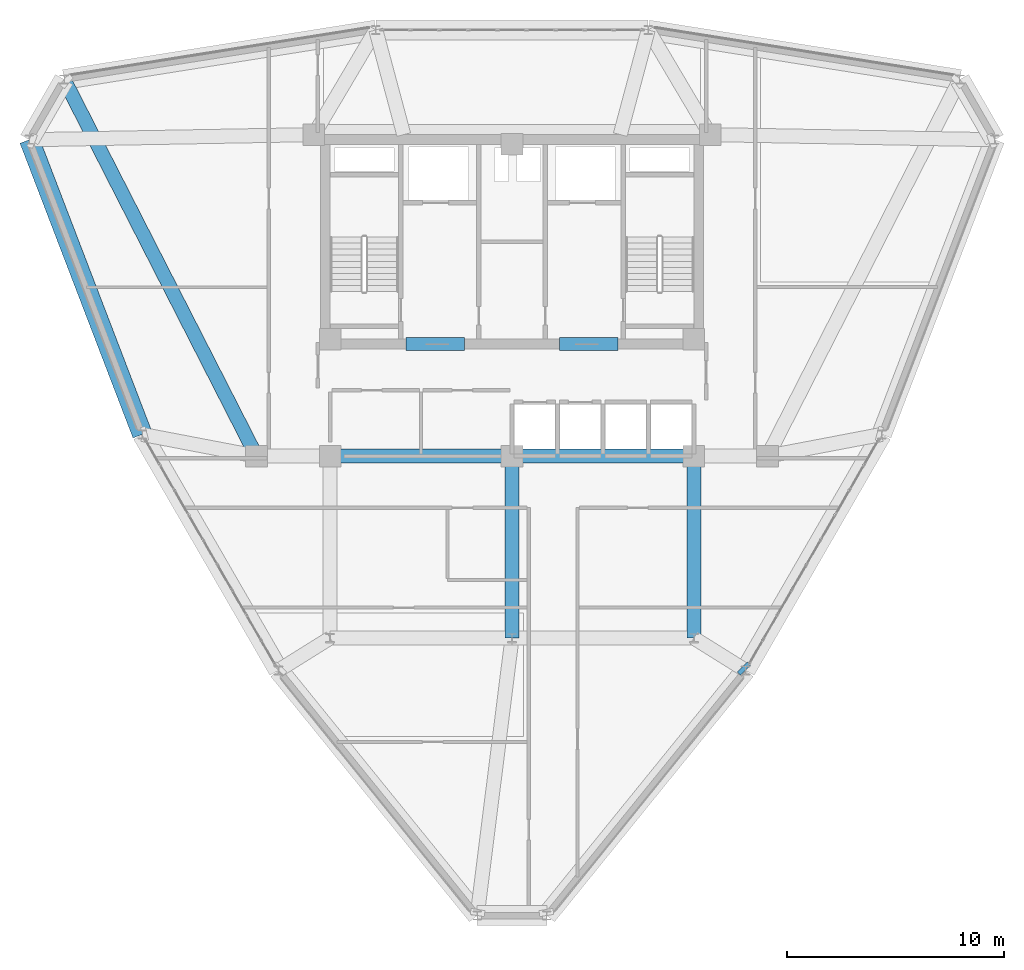
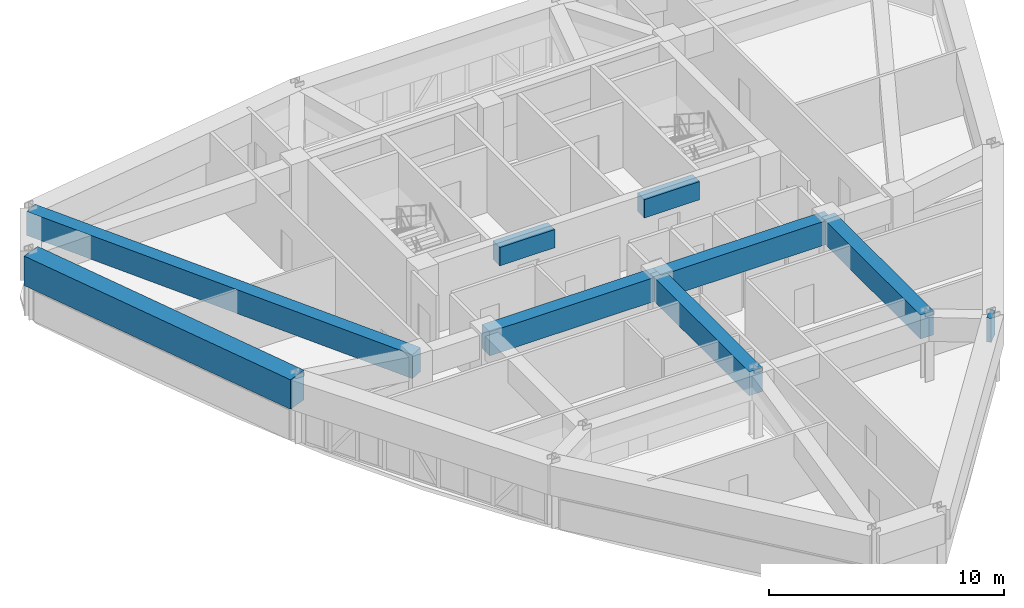
# One storey, part 5 of 14: 9 beams.
"""IFC4 building model written with IfcOpenShell, lengths in metres."""

from ifc_helpers import new_model, si_unit, derived_unit, direction, frame, origin, origin_2d, place, context, subcontext, project, spatial, rectangle, extrude, source, transform, mapped, material, material_profile, profile_set, type_object, element, save


model = new_model("IFC4")

# Units and contexts
model_context = context("Model", 3, precision=1e-05, world=origin(), true_north=direction((0.0, 1.0)))
body_context = subcontext(model_context, "Body", "Model", "MODEL_VIEW")
ifc_project = project(units=[si_unit("LENGTHUNIT", "METRE"), si_unit("AREAUNIT", "SQUARE_METRE"), si_unit("VOLUMEUNIT", "CUBIC_METRE"), si_unit("PLANEANGLEUNIT", "RADIAN"), si_unit("MASSUNIT", "GRAM", prefix="KILO"), derived_unit("THERMALTRANSMITTANCEUNIT", [(si_unit("POWERUNIT", "WATT"), 1), (si_unit("LENGTHUNIT", "METRE"), -2), (si_unit("THERMODYNAMICTEMPERATUREUNIT", "KELVIN"), -1)])], contexts=[model_context])

# Site, building, storey
site_placement = place(None, origin())
site = spatial("IfcSite", under=ifc_project, at=site_placement, CompositionType="ELEMENT")
building_placement = place(site_placement, origin())
building = spatial("IfcBuilding", under=site, at=building_placement, Name="Korsvarv Bourse and Concert Hall", CompositionType="ELEMENT")
storey_placement = place(building_placement, frame((0.0, 0.0, 186.60009765625)))
storey = spatial("IfcBuildingStorey", under=building, at=storey_placement, Name="L48", CompositionType="ELEMENT", Elevation=186.60009765625)

# Beams
ifc_material_1 = material(Name="Concrete C55/67", Category="concrete")
ifc_material_profile_1 = material_profile(ifc_material_1, rectangle(XDim=0.60009765625, YDim=0.949951171875, at=origin_2d()), Name="RC-BM 600x950")
ifc_profile_set_1 = profile_set([ifc_material_profile_1], Name="Concrete C55/67")
beam_type_1 = type_object("IfcBeamType", Name="BM-CPL", PredefinedType="LINTEL", material=ifc_profile_set_1)
shared_shape_1 = source(origin(), body_context, "Body", "SweptSolid", [
    extrude(rectangle(XDim=0.60009765625, YDim=0.949951171875, at=origin_2d()), origin(), (0.0, 0.0, 1.0), 2.699951171875),
])
for number, where, z_axis, x_axis, name in (
    (1, (31.10009765625, 37.574951171875, 2.9248046875), (1.0, 0.0, 0.0), (0.0, 1.0, 0.0), "L48 Core Coupling Beam West"),
    (2, (38.199951171875, 37.574951171875, 2.9248046875), (1.0, 0.0, 0.0), (0.0, 1.0, 0.0), "L48 Core Coupling Beam East"),
):
    element("IfcBeam", number, at=place(storey_placement, frame(where, z_axis=z_axis, x_axis=x_axis)), inside=storey, type_object=beam_type_1, Name=name, PredefinedType="LINTEL", context=body_context, shape_type="MappedRepresentation", body=[
        mapped(shared_shape_1, transform((0.0, 0.0, 0.0), scale=1.0)),
    ])
ifc_material_2 = material(Name="Concrete C50/60", Category="concrete")
ifc_material_profile_2 = material_profile(ifc_material_2, rectangle(XDim=0.64990234375, YDim=1.239990234375, at=origin_2d()), Name="RC-BM 650x1240")
ifc_profile_set_2 = profile_set([ifc_material_profile_2], Name="Concrete C50/60")
beam_type_2 = type_object("IfcBeamType", Name="BM-TR-SPN", PredefinedType="BEAM", material=ifc_profile_set_2)
shared_shape_2 = source(origin(), body_context, "Body", "SweptSolid", [
    extrude(rectangle(XDim=0.64990234375, YDim=1.239990234375, at=origin_2d()), origin(), (0.0, 0.0, 1.0), 8.39990234375),
])
for number, where, z_axis, x_axis, name in (
    (3, (27.60009765625, 32.39990234375, 2.77978515625), (1.0, 0.0, 0.0), (0.0, 1.0, 0.0), "L48 beam B-TRS"),
    (4, (36.0, 32.39990234375, 2.77978515625), (1.0, 0.0, 0.0), (0.0, 1.0, 0.0), "L48 beam B-TRS"),
    (5, (36.0, 24.0, 2.77978515625), (0.0, 1.0, 0.0), (-1.0, 0.0, 0.0), "L48 beam B-TRS"),
    (6, (44.39990234375, 24.0, 2.77978515625), (0.0, 1.0, 0.0), (-1.0, 0.0, 0.0), "L48 beam B-TRS"),
):
    element("IfcBeam", number, at=place(storey_placement, frame(where, z_axis=z_axis, x_axis=x_axis)), inside=storey, type_object=beam_type_2, Name=name, PredefinedType="BEAM", context=body_context, shape_type="MappedRepresentation", body=[
        mapped(shared_shape_2, transform((0.0, 0.0, 0.0), scale=1.0)),
    ])
ifc_material_profile_3 = material_profile(ifc_material_2, rectangle(XDim=0.919921875, YDim=1.530029296875, at=origin_2d()), Name="RC-BM 920x1530")
ifc_profile_set_3 = profile_set([ifc_material_profile_3], Name="Concrete C50/60")
beam_type_3 = type_object("IfcBeamType", Name="BM-TR-154", PredefinedType="BEAM", material=ifc_profile_set_3)
shared_shape_3 = source(origin(), body_context, "Body", "SweptSolid", [
    extrude(rectangle(XDim=0.919921875, YDim=1.530029296875, at=origin_2d()), origin(), (0.0, 0.0, 1.0), 14.573486328125),
])
beam_1_placement = place(storey_placement, frame((13.709716796875, 47.012939453125, 2.635009765625), z_axis=(0.358031436139, -0.933709532315, 0.0), x_axis=(0.933709532315, 0.358031436139, 0.0)))
element("IfcBeam", 7, at=beam_1_placement, inside=storey, type_object=beam_type_3, Name="L48 beam B-TR6", PredefinedType="BEAM", context=body_context, shape_type="MappedRepresentation", body=[
    mapped(shared_shape_3, transform((0.0, 0.0, 0.0), scale=1.0)),
])
shared_shape_4 = source(origin(), body_context, "Body", "SweptSolid", [
    extrude(rectangle(XDim=0.64990234375, YDim=1.239990234375, at=origin_2d()), origin(), (0.0, 0.0, 1.0), 19.5341796875),
])
beam_2_placement = place(storey_placement, frame((15.3173828125, 49.797607421875, 2.77978515625), z_axis=(0.454721683444, -0.890633589421, 0.0), x_axis=(0.890633589421, 0.454721683444, 0.0)))
element("IfcBeam", 8, at=beam_2_placement, inside=storey, type_object=beam_type_2, Name="L48 beam B-TRS", PredefinedType="BEAM", context=body_context, shape_type="MappedRepresentation", body=[
    mapped(shared_shape_4, transform((0.0, 0.0, 0.0), scale=1.0)),
])
shared_shape_5 = source(origin(), body_context, "Body", "SweptSolid", [
    extrude(rectangle(XDim=0.64990234375, YDim=1.239990234375, at=origin_2d()), origin(), (0.0, 0.0, 1.0), 0.2177734375),
])
beam_3_placement = place(storey_placement, frame((46.783203125, 22.51220703125, 2.77978515625), z_axis=(-0.708226504781, 0.705985281664, 0.0), x_axis=(-0.705985281664, -0.708226504781, 0.0)))
element("IfcBeam", 9, at=beam_3_placement, inside=storey, type_object=beam_type_2, Name="L48 beam B-TRS", PredefinedType="BEAM", context=body_context, shape_type="MappedRepresentation", body=[
    mapped(shared_shape_5, transform((0.0, 0.0, 0.0), scale=1.0)),
])

save(model, "model.ifc")
